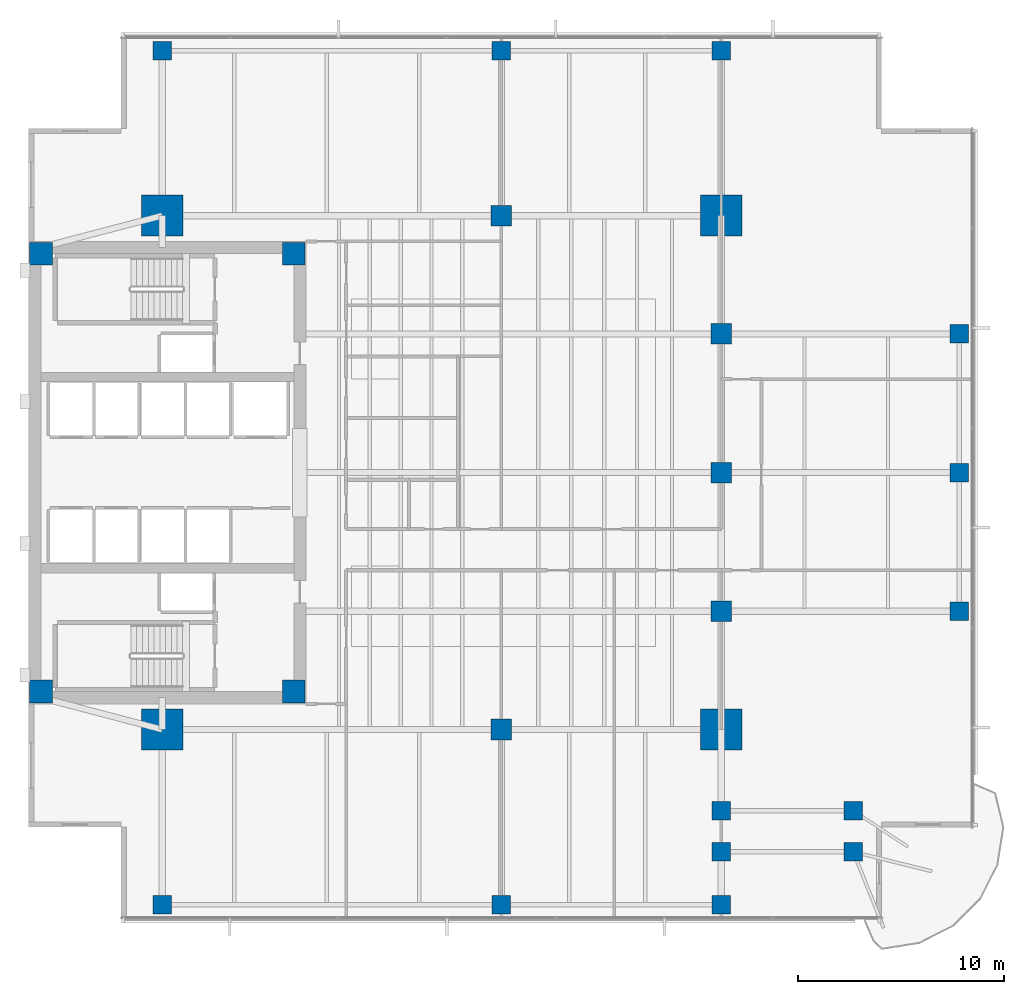
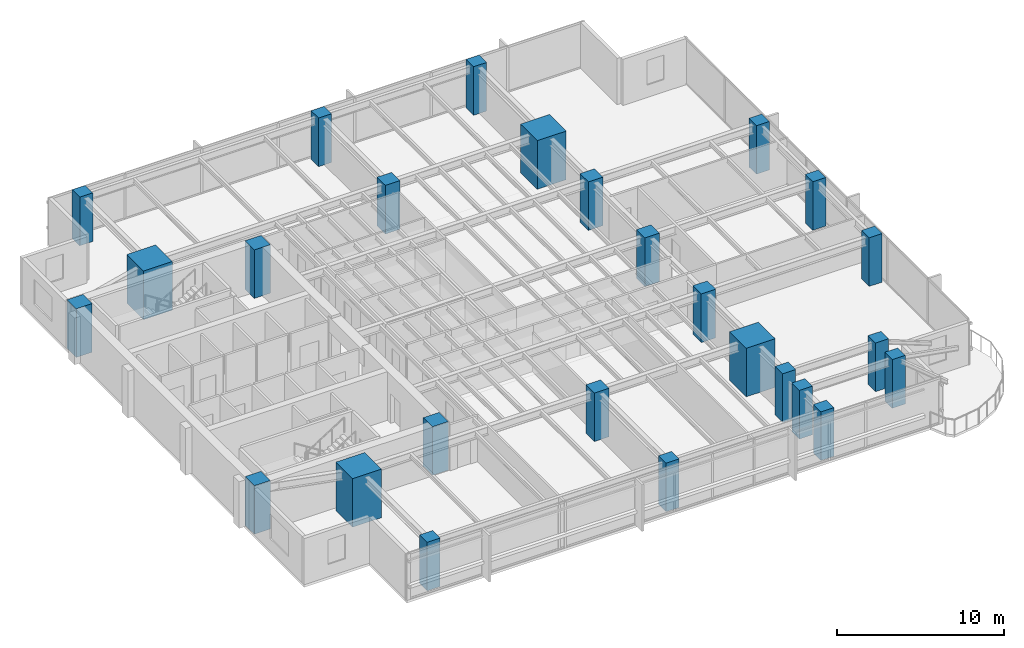
# One storey, part 1 of 15: 26 columns.
"""IFC4 building model written with IfcOpenShell, lengths in metres."""

from ifc_helpers import new_model, si_unit, direction, frame, origin, origin_2d, place, context, subcontext, project, spatial, rectangle, extrude, material, material_profile, profile_set, type_object, element, save


model = new_model("IFC4")

# Units and contexts
model_context = context("Model", 3, precision=1e-05, world=origin(), true_north=direction((0.0, 1.0)))
body_context = subcontext(model_context, "Body", "Model", "MODEL_VIEW")
ifc_project = project(units=[si_unit("LENGTHUNIT", "METRE"), si_unit("AREAUNIT", "SQUARE_METRE"), si_unit("VOLUMEUNIT", "CUBIC_METRE"), si_unit("PLANEANGLEUNIT", "RADIAN"), si_unit("MASSUNIT", "GRAM", prefix="KILO")], contexts=[model_context])

# Site, building, storey
site_placement = place(None, origin())
site = spatial("IfcSite", under=ifc_project, at=site_placement, CompositionType="ELEMENT")
building_placement = place(site_placement, origin())
building = spatial("IfcBuilding", under=site, at=building_placement, Name="Kinhvarn Gate Tower", CompositionType="ELEMENT")
storey_placement = place(building_placement, frame((0.0, 0.0, 109.35009765625)))
storey = spatial("IfcBuildingStorey", under=building, at=storey_placement, Name="L28", CompositionType="ELEMENT", Elevation=109.35009765625)

# Columns
ifc_material = material(Name="Concrete C60/75", Category="concrete")
ifc_material_profile_1 = material_profile(ifc_material, rectangle(XDim=2.0, YDim=2.0, at=origin_2d()), Name="RC 2000x2000")
ifc_profile_set_1 = profile_set([ifc_material_profile_1], Name="Concrete C60/75")
column_type_1 = type_object("IfcColumnType", Name="COL-MC-2000", PredefinedType="COLUMN", material=ifc_profile_set_1)
for number, where, z_axis, x_axis, name in (
    (1, (11.0, 12.75, 0.0), (0.0, 0.0, 1.0), (1.0, 0.0, 0.0), "Column MC1-L28 (MC-20)"),
    (2, (11.0, 37.75, 0.0), (0.0, 0.0, 1.0), (1.0, 0.0, 0.0), "Column MC4-L28 (MC-20)"),
    (3, (38.199951171875, 12.75, 0.0), (0.0, 0.0, 1.0), (1.0, 0.0, 0.0), "Column MC2-L28 (MC-20)"),
    (4, (38.199951171875, 37.75, 0.0), (0.0, 0.0, 1.0), (1.0, 0.0, 0.0), "Column MC3-L28 (MC-20)"),
):
    element("IfcColumn", number, at=place(storey_placement, frame(where, z_axis=z_axis, x_axis=x_axis)), inside=storey, type_object=column_type_1, Name=name, PredefinedType="COLUMN", context=body_context, shape_type="SweptSolid", body=[
        extrude(rectangle(XDim=2.0, YDim=2.0, at=origin_2d()), origin(), (0.0, 0.0, 1.0), 3.5498046875),
    ])
ifc_material_profile_2 = material_profile(ifc_material, rectangle(XDim=1.0, YDim=1.0, at=origin_2d()), Name="RC 1000x1000")
ifc_profile_set_2 = profile_set([ifc_material_profile_2], Name="Concrete C60/75")
column_type_2 = type_object("IfcColumnType", Name="COL-RC-1000", PredefinedType="COLUMN", material=ifc_profile_set_2)
for number, where, z_axis, x_axis, name in (
    (5, (27.5, 12.75, 0.0), (0.0, 0.0, 1.0), (1.0, 0.0, 0.0), "Column SP27-S-L28 (C-100)"),
    (6, (27.5, 37.75, 0.0), (0.0, 0.0, 1.0), (1.0, 0.0, 0.0), "Column SP27-N-L28 (C-100)"),
    (7, (38.199951171875, 18.5, 0.0), (0.0, 0.0, 1.0), (1.0, 0.0, 0.0), "Column SP38-E1-L28 (C-100)"),
    (8, (38.199951171875, 25.25, 0.0), (0.0, 0.0, 1.0), (1.0, 0.0, 0.0), "Column SP38-E2-L28 (C-100)"),
    (9, (38.199951171875, 32.0, 0.0), (0.0, 0.0, 1.0), (1.0, 0.0, 0.0), "Column SP38-E3-L28 (C-100)"),
):
    element("IfcColumn", number, at=place(storey_placement, frame(where, z_axis=z_axis, x_axis=x_axis)), inside=storey, type_object=column_type_2, Name=name, PredefinedType="COLUMN", context=body_context, shape_type="SweptSolid", body=[
        extrude(rectangle(XDim=1.0, YDim=1.0, at=origin_2d()), origin(), (0.0, 0.0, 1.0), 3.5498046875),
    ])
ifc_material_profile_3 = material_profile(ifc_material, rectangle(XDim=0.89990234375, YDim=0.89990234375, at=origin_2d()), Name="RC 900x900")
ifc_profile_set_3 = profile_set([ifc_material_profile_3], Name="Concrete C60/75")
column_type_3 = type_object("IfcColumnType", Name="COL-RC-900", PredefinedType="COLUMN", material=ifc_profile_set_3)
for number, where, z_axis, x_axis, name in (
    (10, (38.199951171875, 6.800048828125, 0.0), (0.0, 0.0, 1.0), (1.0, 0.0, 0.0), "Column CS-ANC68-L28 (C-090)"),
    (11, (38.199951171875, 8.800048828125, 0.0), (0.0, 0.0, 1.0), (1.0, 0.0, 0.0), "Column CS-ANC88-L28 (C-090)"),
    (12, (44.6201171875, 6.800048828125, 0.0), (0.0, 0.0, 1.0), (1.0, 0.0, 0.0), "Column CS-SE2-L28 (C-090)"),
    (13, (44.6201171875, 8.800048828125, 0.0), (0.0, 0.0, 1.0), (1.0, 0.0, 0.0), "Column CS-SE2B-L28 (C-090)"),
    (14, (49.780029296875, 18.5, 0.0), (0.0, 0.0, 1.0), (1.0, 0.0, 0.0), "Column CE-1-L28 (C-090)"),
    (15, (49.780029296875, 25.25, 0.0), (0.0, 0.0, 1.0), (1.0, 0.0, 0.0), "Column CE-2-L28 (C-090)"),
    (16, (49.780029296875, 32.0, 0.0), (0.0, 0.0, 1.0), (1.0, 0.0, 0.0), "Column CE-3-L28 (C-090)"),
    (17, (11.0, 4.219970703125, 0.0), (0.0, 0.0, 1.0), (1.0, 0.0, 0.0), "Column CS-0-L28 (C-090)"),
    (18, (27.5, 4.219970703125, 0.0), (0.0, 0.0, 1.0), (1.0, 0.0, 0.0), "Column CS-1-L28 (C-090)"),
    (19, (38.199951171875, 4.219970703125, 0.0), (0.0, 0.0, 1.0), (1.0, 0.0, 0.0), "Column CS-2-L28 (C-090)"),
    (20, (11.0, 45.780029296875, 0.0), (0.0, 0.0, 1.0), (1.0, 0.0, 0.0), "Column CN-0-L28 (C-090)"),
    (21, (27.5, 45.780029296875, 0.0), (0.0, 0.0, 1.0), (1.0, 0.0, 0.0), "Column CN-1-L28 (C-090)"),
    (22, (38.199951171875, 45.780029296875, 0.0), (0.0, 0.0, 1.0), (1.0, 0.0, 0.0), "Column CN-2-L28 (C-090)"),
):
    element("IfcColumn", number, at=place(storey_placement, frame(where, z_axis=z_axis, x_axis=x_axis)), inside=storey, type_object=column_type_3, Name=name, PredefinedType="COLUMN", context=body_context, shape_type="SweptSolid", body=[
        extrude(rectangle(XDim=0.89990234375, YDim=0.89990234375, at=origin_2d()), origin(), (0.0, 0.0, 1.0), 3.5498046875),
    ])
ifc_material_profile_4 = material_profile(ifc_material, rectangle(XDim=1.10009765625, YDim=1.10009765625, at=origin_2d()), Name="RC 1100x1100")
ifc_profile_set_4 = profile_set([ifc_material_profile_4], Name="Concrete C60/75")
column_type_4 = type_object("IfcColumnType", Name="PIL-RC-1100", PredefinedType="PILASTER", material=ifc_profile_set_4)
for number, where, z_axis, x_axis, name in (
    (23, (5.10009765625, 14.60009765625, 0.0), (0.0, 0.0, 1.0), (1.0, 0.0, 0.0), "Column CC-SW-L28 (CP-110)"),
    (24, (5.10009765625, 35.89990234375, 0.0), (0.0, 0.0, 1.0), (1.0, 0.0, 0.0), "Column CC-NW-L28 (CP-110)"),
    (25, (17.39990234375, 14.60009765625, 0.0), (0.0, 0.0, 1.0), (1.0, 0.0, 0.0), "Column CC-SE-L28 (CP-110)"),
    (26, (17.39990234375, 35.89990234375, 0.0), (0.0, 0.0, 1.0), (1.0, 0.0, 0.0), "Column CC-NE-L28 (CP-110)"),
):
    element("IfcColumn", number, at=place(storey_placement, frame(where, z_axis=z_axis, x_axis=x_axis)), inside=storey, type_object=column_type_4, Name=name, PredefinedType="PILASTER", context=body_context, shape_type="SweptSolid", body=[
        extrude(rectangle(XDim=1.10009765625, YDim=1.10009765625, at=origin_2d()), origin(), (0.0, 0.0, 1.0), 3.5498046875),
    ])

save(model, "model.ifc")
